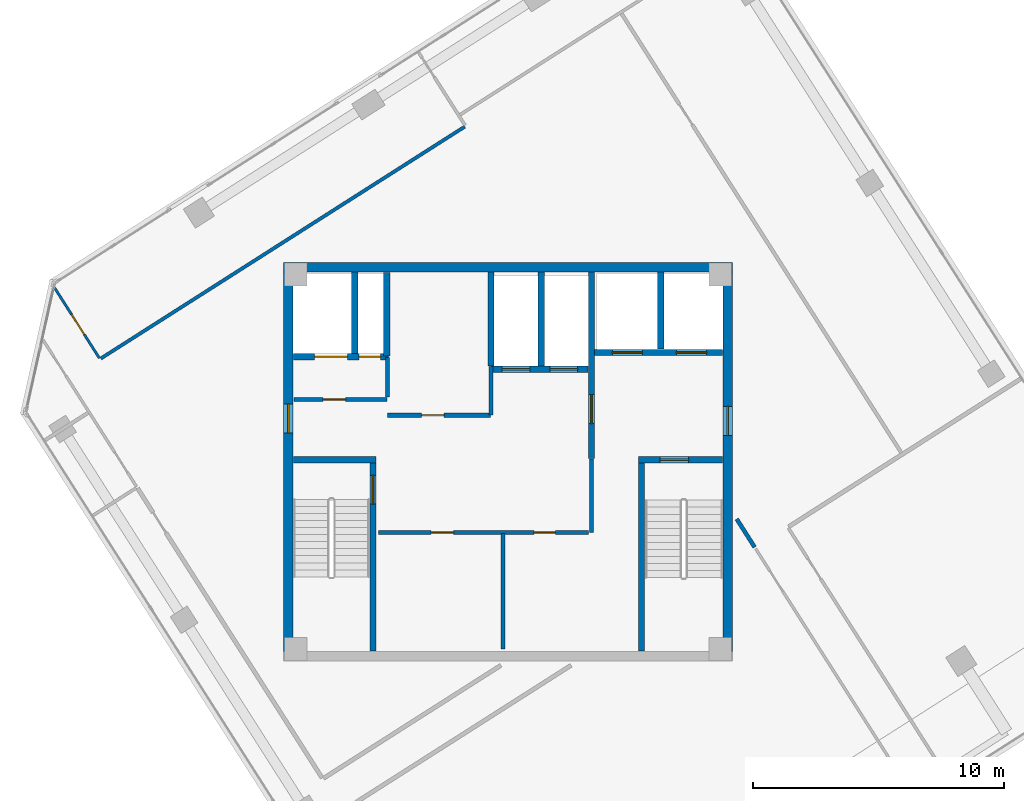
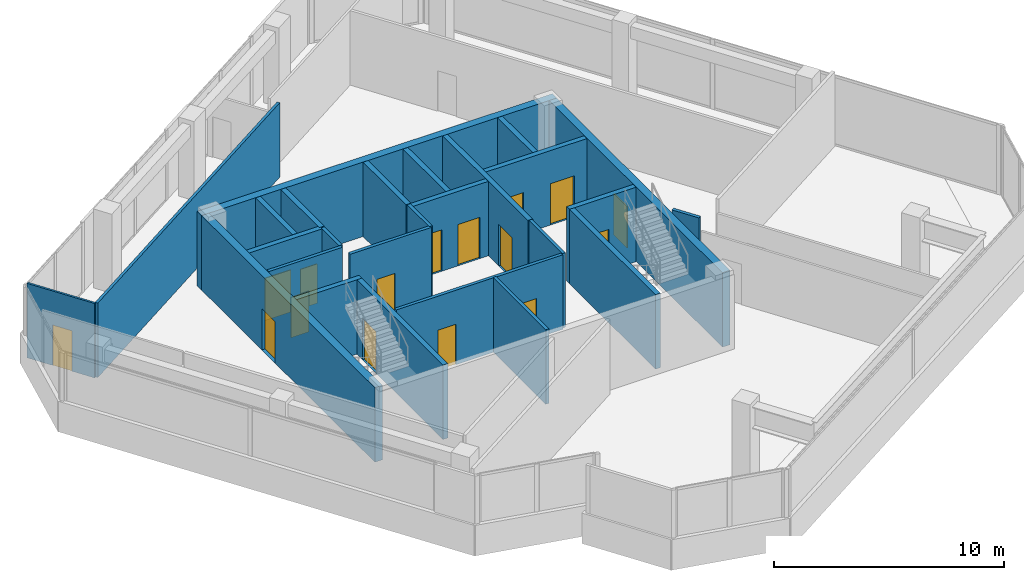
# One storey, part 11 of 15: 26 walls, 16 doors, 16 openings.
"""IFC4 building model written with IfcOpenShell, lengths in metres."""

from ifc_helpers import new_model, si_unit, direction, frame, frame_2d, origin, place, context, subcontext, project, spatial, rectangle, extrude, source, transform, mapped, material, layer, layer_set, type_object, element, fill, save


model = new_model("IFC4")

# Units and contexts
model_context = context("Model", 3, precision=1e-05, world=origin(), true_north=direction((0.0, 1.0)))
body_context = subcontext(model_context, "Body", "Model", "MODEL_VIEW")
ifc_project = project(units=[si_unit("LENGTHUNIT", "METRE"), si_unit("AREAUNIT", "SQUARE_METRE"), si_unit("VOLUMEUNIT", "CUBIC_METRE"), si_unit("PLANEANGLEUNIT", "RADIAN"), si_unit("MASSUNIT", "GRAM", prefix="KILO")], contexts=[model_context])

# Site, building, storey
site_placement = place(None, origin())
site = spatial("IfcSite", under=ifc_project, at=site_placement, CompositionType="ELEMENT")
building_placement = place(site_placement, origin())
building = spatial("IfcBuilding", under=site, at=building_placement, Name="Torre Montelarca", CompositionType="ELEMENT")
storey_placement = place(building_placement, frame((0.0, 0.0, 311.39990234375)))
storey = spatial("IfcBuildingStorey", under=building, at=storey_placement, Name="L70", CompositionType="ELEMENT", Elevation=311.39990234375)

# Wall, opening, door
ifc_material_1 = material(Name="Concrete C40/50", Category="concrete")
ifc_layer_1 = layer(ifc_material_1, 0.25, Name="Concrete C40/50", Category="concrete")
ifc_layer_set_1 = layer_set([ifc_layer_1], Name="Concrete C40/50")
wall_type_1 = type_object("IfcWallType", Name="CW-SHAFT-250", PredefinedType="SHEAR", material=ifc_layer_set_1)
wall_1_placement = place(storey_placement, frame((12.625, 24.4599609375, 0.0), z_axis=(0.0, 0.0, 1.0), x_axis=(0.0, 1.0, 0.0)))
wall_1 = element("IfcWall", 1, at=wall_1_placement, inside=storey, type_object=wall_type_1, Name="L70 Core Shear Wall SH-ST1-E", PredefinedType="SHEAR", context=body_context, shape_type="SweptSolid", body=[
    extrude(rectangle(XDim=7.489990234375, YDim=0.25, at=frame_2d((3.7451171875, 0.0))), origin(), (0.0, 0.0, 1.0), 3.960205078125),
])
opening_1_placement = place(wall_1_placement, frame((5.85009765625, 0.0, 0.0)))
opening_1 = element("IfcOpeningElement", 2, at=opening_1_placement, cuts=wall_1, Name="Opening FD-ST1", PredefinedType="OPENING", context=body_context, shape_type="SweptSolid", body=[
    extrude(rectangle(XDim=1.14990234375, YDim=2.199951171875, at=frame_2d((0.574951171875, 1.10009765625))), frame((0.0, 0.135009765625, 0.0), z_axis=(0.0, -1.0, 0.0), x_axis=(1.0, 0.0, 0.0)), (0.0, 0.0, 1.0), 0.27001953125),
])
ifc_material_2 = material(Name="Galvanized steel fire door", Category="steel")
door_type_1 = type_object("IfcDoorType", Name="DR-STAIR-115", OperationType="NOTDEFINED", PredefinedType="DOOR", material=ifc_material_2)
shared_shape_1 = source(origin(), body_context, "Body", "SweptSolid", [
    extrude(rectangle(XDim=1.14990234375, YDim=2.199951171875, at=frame_2d((0.574951171875, 1.10009765625))), frame((0.0, 0.02490234375, 0.0), z_axis=(0.0, -1.0, 0.0), x_axis=(1.0, 0.0, 0.0)), (0.0, 0.0, 1.0), 0.050048828125),
])
door_1_placement = place(opening_1_placement, origin())
door_1 = element("IfcDoor", 3, at=door_1_placement, inside=storey, type_object=door_type_1, Name="L70 Exit Stair ST1 Fire Door", OperationType="SINGLE_SWING_RIGHT", OverallHeight=2.199951171875, OverallWidth=1.14990234375, PredefinedType="DOOR", context=body_context, shape_type="MappedRepresentation", body=[
    mapped(shared_shape_1, transform((0.0, 0.0, 0.0), scale=1.0)),
])
fill(opening_1, door_1)

# Walls
wall_2_placement = place(storey_placement, frame((9.4599609375, 32.074951171875, 0.0), z_axis=(0.0, 0.0, 1.0), x_axis=(1.0, 0.0, 0.0)))
element("IfcWall", 4, at=wall_2_placement, inside=storey, type_object=wall_type_1, Name="L70 Core Shear Wall SH-ST1-N", PredefinedType="SHEAR", context=body_context, shape_type="SweptSolid", body=[
    extrude(rectangle(XDim=3.2900390625, YDim=0.25, at=frame_2d((1.64501953125, 0.0))), origin(), (0.0, 0.0, 1.0), 3.960205078125),
])
wall_3_placement = place(storey_placement, frame((23.31494140625, 24.4599609375, 0.0), z_axis=(0.0, 0.0, 1.0), x_axis=(0.0, 1.0, 0.0)))
element("IfcWall", 5, at=wall_3_placement, inside=storey, type_object=wall_type_1, Name="L70 Core Shear Wall SH-ST2-W", PredefinedType="SHEAR", context=body_context, shape_type="SweptSolid", body=[
    extrude(rectangle(XDim=7.489990234375, YDim=0.25, at=frame_2d((3.7451171875, 0.0))), origin(), (0.0, 0.0, 1.0), 3.960205078125),
])

# Wall, opening, door
wall_4_placement = place(storey_placement, frame((23.18994140625, 32.074951171875, 0.0), z_axis=(0.0, 0.0, 1.0), x_axis=(1.0, 0.0, 0.0)))
wall_4 = element("IfcWall", 6, at=wall_4_placement, inside=storey, type_object=wall_type_1, Name="L70 Core Shear Wall SH-ST2-N", PredefinedType="SHEAR", context=body_context, shape_type="SweptSolid", body=[
    extrude(rectangle(XDim=3.35009765625, YDim=0.25, at=frame_2d((1.675048828125, 0.0))), origin(), (0.0, 0.0, 1.0), 3.960205078125),
])
opening_2_placement = place(wall_4_placement, frame((0.85009765625, 0.0, 0.0)))
opening_2 = element("IfcOpeningElement", 7, at=opening_2_placement, cuts=wall_4, Name="Opening FD-ST1", PredefinedType="OPENING", context=body_context, shape_type="SweptSolid", body=[
    extrude(rectangle(XDim=1.14990234375, YDim=2.199951171875, at=frame_2d((0.574951171875, 1.10009765625))), frame((0.0, 0.135009765625, 0.0), z_axis=(0.0, -1.0, 0.0), x_axis=(1.0, 0.0, 0.0)), (0.0, 0.0, 1.0), 0.27001953125),
])
door_2_placement = place(opening_2_placement, origin())
door_2 = element("IfcDoor", 8, at=door_2_placement, inside=storey, type_object=door_type_1, Name="L70 Exit Stair ST2 Fire Door", OperationType="SINGLE_SWING_RIGHT", OverallHeight=2.199951171875, OverallWidth=1.14990234375, PredefinedType="DOOR", context=body_context, shape_type="MappedRepresentation", body=[
    mapped(shared_shape_1, transform((0.0, 0.0, 0.0), scale=1.0)),
])
fill(opening_2, door_2)

wall_5_placement = place(storey_placement, frame((21.320068359375, 32.1201171875, 0.0), z_axis=(0.0, 0.0, 1.0), x_axis=(0.0, 1.0, 0.0)))
wall_5 = element("IfcWall", 9, at=wall_5_placement, inside=storey, type_object=wall_type_1, Name="L70 Core Shear Wall SH-FFL-W", PredefinedType="SHEAR", context=body_context, shape_type="SweptSolid", body=[
    extrude(rectangle(XDim=7.419921875, YDim=0.25, at=frame_2d((3.7099609375, 0.0))), origin(), (0.0, 0.0, 1.0), 3.960205078125),
])
opening_3_placement = place(wall_5_placement, frame((1.39990234375, 0.0, 0.0)))
opening_3 = element("IfcOpeningElement", 10, at=opening_3_placement, cuts=wall_5, Name="Opening FD-LB1", PredefinedType="OPENING", context=body_context, shape_type="SweptSolid", body=[
    extrude(rectangle(XDim=1.14990234375, YDim=2.199951171875, at=frame_2d((0.574951171875, 1.10009765625))), frame((0.0, 0.135009765625, 0.0), z_axis=(0.0, -1.0, 0.0), x_axis=(1.0, 0.0, 0.0)), (0.0, 0.0, 1.0), 0.27001953125),
])
ifc_material_3 = material(Name="Acoustic timber-veneered fire door", Category="wood")
door_type_2 = type_object("IfcDoorType", Name="DR-LOBBY-115", OperationType="NOTDEFINED", PredefinedType="DOOR", material=ifc_material_3)
shared_shape_2 = source(origin(), body_context, "Body", "SweptSolid", [
    extrude(rectangle(XDim=1.14990234375, YDim=2.199951171875, at=frame_2d((0.574951171875, 1.10009765625))), frame((0.0, 0.02490234375, 0.0), z_axis=(0.0, -1.0, 0.0), x_axis=(1.0, 0.0, 0.0)), (0.0, 0.0, 1.0), 0.050048828125),
])
door_3_placement = place(opening_3_placement, origin())
door_3 = element("IfcDoor", 11, at=door_3_placement, inside=storey, type_object=door_type_2, Name="L70 Lift Lobby to Firefighting Lobby Smoke Door", OperationType="SINGLE_SWING_LEFT", OverallHeight=2.199951171875, OverallWidth=1.14990234375, PredefinedType="DOOR", context=body_context, shape_type="MappedRepresentation", body=[
    mapped(shared_shape_2, transform((0.0, 0.0, 0.0), scale=1.0)),
])
fill(opening_3, door_3)

# Wall, openings, doors
wall_6_placement = place(storey_placement, frame((9.4599609375, 36.179931640625, 0.0), z_axis=(0.0, 0.0, 1.0), x_axis=(1.0, 0.0, 0.0)))
wall_6 = element("IfcWall", 12, at=wall_6_placement, inside=storey, type_object=wall_type_1, Name="L70 Core Shear Wall SH-SV1-S", PredefinedType="SHEAR", context=body_context, shape_type="SweptSolid", body=[
    extrude(rectangle(XDim=3.7900390625, YDim=0.25, at=frame_2d((1.89501953125, 0.0))), origin(), (0.0, 0.0, 1.0), 3.960205078125),
])
opening_4_placement = place(wall_6_placement, frame((2.6201171875, 0.0, 0.0)))
opening_4 = element("IfcOpeningElement", 13, at=opening_4_placement, cuts=wall_6, Name="Opening FD-085", PredefinedType="OPENING", context=body_context, shape_type="SweptSolid", body=[
    extrude(rectangle(XDim=0.85009765625, YDim=2.10009765625, at=frame_2d((0.425048828125, 1.050048828125))), frame((0.0, 0.135009765625, 0.0), z_axis=(0.0, -1.0, 0.0), x_axis=(1.0, 0.0, 0.0)), (0.0, 0.0, 1.0), 0.27001953125),
])
opening_5_placement = place(wall_6_placement, frame((0.85009765625, 0.0, 0.0)))
opening_5 = element("IfcOpeningElement", 14, at=opening_5_placement, cuts=wall_6, Name="Opening LD-130", PredefinedType="OPENING", context=body_context, shape_type="SweptSolid", body=[
    extrude(rectangle(XDim=1.300048828125, YDim=2.25, at=frame_2d((0.64990234375, 1.125))), frame((0.0, 0.135009765625, 0.0), z_axis=(0.0, -1.0, 0.0), x_axis=(1.0, 0.0, 0.0)), (0.0, 0.0, 1.0), 0.27001953125),
])
ifc_material_4 = material(Name="Steel riser access fire door", Category="steel")
door_type_3 = type_object("IfcDoorType", Name="DR-RISER-085", OperationType="NOTDEFINED", PredefinedType="DOOR", material=ifc_material_4)
shared_shape_3 = source(origin(), body_context, "Body", "SweptSolid", [
    extrude(rectangle(XDim=0.85009765625, YDim=2.10009765625, at=frame_2d((0.425048828125, 1.050048828125))), frame((0.0, 0.02490234375, 0.0), z_axis=(0.0, -1.0, 0.0), x_axis=(1.0, 0.0, 0.0)), (0.0, 0.0, 1.0), 0.050048828125),
])
door_4_placement = place(opening_4_placement, origin())
door_4 = element("IfcDoor", 15, at=door_4_placement, inside=storey, type_object=door_type_3, Name="L70 Electrical Riser Shaft Access Door", OperationType="SINGLE_SWING_RIGHT", OverallHeight=2.10009765625, OverallWidth=0.85009765625, PredefinedType="DOOR", context=body_context, shape_type="MappedRepresentation", body=[
    mapped(shared_shape_3, transform((0.0, 0.0, 0.0), scale=1.0)),
])
fill(opening_4, door_4)
ifc_material_5 = material(Name="Brushed stainless steel AISI 316", Category="steel")
door_type_4 = type_object("IfcDoorType", Name="DR-LIFT-130", OperationType="SLIDING_TO_LEFT", PredefinedType="DOOR", material=ifc_material_5)
shared_shape_4 = source(origin(), body_context, "Body", "SweptSolid", [
    extrude(rectangle(XDim=1.300048828125, YDim=2.25, at=frame_2d((0.64990234375, 1.125))), frame((0.0, 0.02490234375, 0.0), z_axis=(0.0, -1.0, 0.0), x_axis=(1.0, 0.0, 0.0)), (0.0, 0.0, 1.0), 0.050048828125),
])
door_5_placement = place(opening_5_placement, origin())
door_5 = element("IfcDoor", 16, at=door_5_placement, inside=storey, type_object=door_type_4, Name="L70 Lift Landing Sliding Door SV-1", OperationType="SLIDING_TO_LEFT", OverallHeight=2.25, OverallWidth=1.300048828125, PredefinedType="DOOR", context=body_context, shape_type="MappedRepresentation", body=[
    mapped(shared_shape_4, transform((0.0, 0.0, 0.0), scale=1.0)),
])
fill(opening_5, door_5)

# Wall
wall_7_placement = place(storey_placement, frame((11.89990234375, 36.31005859375, 0.0), z_axis=(0.0, 0.0, 1.0), x_axis=(0.0, 1.0, 0.0)))
element("IfcWall", 17, at=wall_7_placement, inside=storey, type_object=wall_type_1, Name="L70 Core Shear Wall SH-SV1-E", PredefinedType="SHEAR", context=body_context, shape_type="SweptSolid", body=[
    extrude(rectangle(XDim=3.22998046875, YDim=0.25, at=frame_2d((1.614990234375, 0.0))), origin(), (0.0, 0.0, 1.0), 3.960205078125),
])

# Wall, openings, doors
wall_8_placement = place(storey_placement, frame((21.449951171875, 36.35009765625, 0.0), z_axis=(0.0, 0.0, 1.0), x_axis=(1.0, 0.0, 0.0)))
wall_8 = element("IfcWall", 18, at=wall_8_placement, inside=storey, type_object=wall_type_1, Name="L70 Core Shear Wall SH-FF-S", PredefinedType="SHEAR", context=body_context, shape_type="SweptSolid", body=[
    extrude(rectangle(XDim=5.090087890625, YDim=0.25, at=frame_2d((2.544921875, 0.0))), origin(), (0.0, 0.0, 1.0), 3.960205078125),
])
opening_6_placement = place(wall_8_placement, frame((0.699951171875, 0.0, 0.0)))
opening_6 = element("IfcOpeningElement", 19, at=opening_6_placement, cuts=wall_8, Name="Opening LD-120", PredefinedType="OPENING", context=body_context, shape_type="SweptSolid", body=[
    extrude(rectangle(XDim=1.199951171875, YDim=2.199951171875, at=frame_2d((0.60009765625, 1.10009765625))), frame((0.0, 0.135009765625, 0.0), z_axis=(0.0, -1.0, 0.0), x_axis=(1.0, 0.0, 0.0)), (0.0, 0.0, 1.0), 0.27001953125),
])
opening_7_placement = place(wall_8_placement, frame((3.25, 0.0, 0.0)))
opening_7 = element("IfcOpeningElement", 20, at=opening_7_placement, cuts=wall_8, Name="Opening LD-120", PredefinedType="OPENING", context=body_context, shape_type="SweptSolid", body=[
    extrude(rectangle(XDim=1.199951171875, YDim=2.199951171875, at=frame_2d((0.60009765625, 1.10009765625))), frame((0.0, 0.135009765625, 0.0), z_axis=(0.0, -1.0, 0.0), x_axis=(1.0, 0.0, 0.0)), (0.0, 0.0, 1.0), 0.27001953125),
])
door_type_5 = type_object("IfcDoorType", Name="DR-LIFT-120", OperationType="SLIDING_TO_RIGHT", PredefinedType="DOOR", material=ifc_material_5)
shared_shape_5 = source(origin(), body_context, "Body", "SweptSolid", [
    extrude(rectangle(XDim=1.199951171875, YDim=2.199951171875, at=frame_2d((0.60009765625, 1.10009765625))), frame((0.0, 0.02490234375, 0.0), z_axis=(0.0, -1.0, 0.0), x_axis=(1.0, 0.0, 0.0)), (0.0, 0.0, 1.0), 0.050048828125),
])
door_6_placement = place(opening_6_placement, origin())
door_6 = element("IfcDoor", 21, at=door_6_placement, inside=storey, type_object=door_type_5, Name="L70 Lift Landing Sliding Door FF-1", OperationType="SLIDING_TO_LEFT", OverallHeight=2.199951171875, OverallWidth=1.199951171875, PredefinedType="DOOR", context=body_context, shape_type="MappedRepresentation", body=[
    mapped(shared_shape_5, transform((0.0, 0.0, 0.0), scale=1.0)),
])
fill(opening_6, door_6)
door_7_placement = place(opening_7_placement, origin())
door_7 = element("IfcDoor", 22, at=door_7_placement, inside=storey, type_object=door_type_5, Name="L70 Lift Landing Sliding Door FF-2", OperationType="SLIDING_TO_RIGHT", OverallHeight=2.199951171875, OverallWidth=1.199951171875, PredefinedType="DOOR", context=body_context, shape_type="MappedRepresentation", body=[
    mapped(shared_shape_5, transform((0.0, 0.0, 0.0), scale=1.0)),
])
fill(opening_7, door_7)

# Walls
wall_9_placement = place(storey_placement, frame((24.080078125, 36.47998046875, 0.0), z_axis=(0.0, 0.0, 1.0), x_axis=(0.0, 1.0, 0.0)))
element("IfcWall", 23, at=wall_9_placement, inside=storey, type_object=wall_type_1, Name="L70 Core Shear Wall SH-FF-M", PredefinedType="SHEAR", context=body_context, shape_type="SweptSolid", body=[
    extrude(rectangle(XDim=3.06005859375, YDim=0.25, at=frame_2d((1.530029296875, 0.0))), origin(), (0.0, 0.0, 1.0), 3.960205078125),
])
wall_10_placement = place(storey_placement, frame((13.179931640625, 36.199951171875, 0.0), z_axis=(0.0, 0.0, 1.0), x_axis=(0.0, 1.0, 0.0)))
element("IfcWall", 24, at=wall_10_placement, inside=storey, type_object=wall_type_1, Name="L70 Core Shear Wall SH-RSR1-E", PredefinedType="SHEAR", context=body_context, shape_type="SweptSolid", body=[
    extrude(rectangle(XDim=3.340087890625, YDim=0.25, at=frame_2d((1.669921875, 0.0))), origin(), (0.0, 0.0, 1.0), 3.960205078125),
])

# Wall, openings, doors
wall_11_placement = place(storey_placement, frame((17.320068359375, 35.679931640625, 0.0), z_axis=(0.0, 0.0, 1.0), x_axis=(1.0, 0.0, 0.0)))
wall_11 = element("IfcWall", 25, at=wall_11_placement, inside=storey, type_object=wall_type_1, Name="L70 Core Shear Wall SH-PLH-S", PredefinedType="SHEAR", context=body_context, shape_type="SweptSolid", body=[
    extrude(rectangle(XDim=3.869873046875, YDim=0.25, at=frame_2d((1.93505859375, 0.0))), origin(), (0.0, 0.0, 1.0), 3.960205078125),
])
opening_8_placement = place(wall_11_placement, frame((0.449951171875, 0.0, 0.0)))
opening_8 = element("IfcOpeningElement", 26, at=opening_8_placement, cuts=wall_11, Name="Opening LD-110", PredefinedType="OPENING", context=body_context, shape_type="SweptSolid", body=[
    extrude(rectangle(XDim=1.10009765625, YDim=2.199951171875, at=frame_2d((0.550048828125, 1.10009765625))), frame((0.0, 0.135009765625, 0.0), z_axis=(0.0, -1.0, 0.0), x_axis=(1.0, 0.0, 0.0)), (0.0, 0.0, 1.0), 0.27001953125),
])
opening_9_placement = place(wall_11_placement, frame((2.35009765625, 0.0, 0.0)))
opening_9 = element("IfcOpeningElement", 27, at=opening_9_placement, cuts=wall_11, Name="Opening LD-110", PredefinedType="OPENING", context=body_context, shape_type="SweptSolid", body=[
    extrude(rectangle(XDim=1.10009765625, YDim=2.199951171875, at=frame_2d((0.550048828125, 1.10009765625))), frame((0.0, 0.135009765625, 0.0), z_axis=(0.0, -1.0, 0.0), x_axis=(1.0, 0.0, 0.0)), (0.0, 0.0, 1.0), 0.27001953125),
])
door_type_6 = type_object("IfcDoorType", Name="DR-LIFT-110", OperationType="SLIDING_TO_LEFT", PredefinedType="DOOR", material=ifc_material_5)
shared_shape_6 = source(origin(), body_context, "Body", "SweptSolid", [
    extrude(rectangle(XDim=1.10009765625, YDim=2.199951171875, at=frame_2d((0.550048828125, 1.10009765625))), frame((0.0, 0.02490234375, 0.0), z_axis=(0.0, -1.0, 0.0), x_axis=(1.0, 0.0, 0.0)), (0.0, 0.0, 1.0), 0.050048828125),
])
door_8_placement = place(opening_8_placement, origin())
door_8 = element("IfcDoor", 28, at=door_8_placement, inside=storey, type_object=door_type_6, Name="L70 Lift Landing Sliding Door PL-H1", OperationType="SLIDING_TO_LEFT", OverallHeight=2.199951171875, OverallWidth=1.10009765625, PredefinedType="DOOR", context=body_context, shape_type="MappedRepresentation", body=[
    mapped(shared_shape_6, transform((0.0, 0.0, 0.0), scale=1.0)),
])
fill(opening_8, door_8)
door_9_placement = place(opening_9_placement, origin())
door_9 = element("IfcDoor", 29, at=door_9_placement, inside=storey, type_object=door_type_6, Name="L70 Lift Landing Sliding Door PL-H2", OperationType="SLIDING_TO_RIGHT", OverallHeight=2.199951171875, OverallWidth=1.10009765625, PredefinedType="DOOR", context=body_context, shape_type="MappedRepresentation", body=[
    mapped(shared_shape_6, transform((0.0, 0.0, 0.0), scale=1.0)),
])
fill(opening_9, door_9)

# Walls
for number, where, z_axis, x_axis, name in (
    (30, (17.320068359375, 35.81005859375, 0.0), (0.0, 0.0, 1.0), (0.0, 1.0, 0.0), "L70 Core Shear Wall SH-PLH-W"),
    (31, (19.320068359375, 35.81005859375, 0.0), (0.0, 0.0, 1.0), (0.0, 1.0, 0.0), "L70 Core Shear Wall SH-PLH-M"),
):
    element("IfcWall", number, at=place(storey_placement, frame(where, z_axis=z_axis, x_axis=x_axis)), inside=storey, type_object=wall_type_1, Name=name, PredefinedType="SHEAR", context=body_context, shape_type="SweptSolid", body=[
        extrude(rectangle(XDim=3.72998046875, YDim=0.25, at=frame_2d((1.864990234375, 0.0))), origin(), (0.0, 0.0, 1.0), 3.960205078125),
    ])

# Wall, opening, door
ifc_layer_2 = layer(ifc_material_1, 0.3798828125, Name="Concrete C40/50", Category="concrete")
ifc_layer_set_2 = layer_set([ifc_layer_2], Name="Concrete C40/50")
wall_type_2 = type_object("IfcWallType", Name="CW-SHEAR-380", PredefinedType="SHEAR", material=ifc_layer_set_2)
wall_12_placement = place(storey_placement, frame((9.260009765625, 24.449951171875, 0.0), z_axis=(0.0, 0.0, 1.0), x_axis=(0.0, 1.0, 0.0)))
wall_12 = element("IfcWall", 32, at=wall_12_placement, inside=storey, type_object=wall_type_2, Name="L70 Core Shear Wall CW-W", PredefinedType="SHEAR", context=body_context, shape_type="SweptSolid", body=[
    extrude(rectangle(XDim=15.10009765625, YDim=0.3798828125, at=frame_2d((7.550048828125, 0.0))), origin(), (0.0, 0.0, 1.0), 3.960205078125),
])
opening_10_placement = place(wall_12_placement, frame((8.699951171875, 0.0, 0.0)))
opening_10 = element("IfcOpeningElement", 33, at=opening_10_placement, cuts=wall_12, Name="Opening FD-LB1", PredefinedType="OPENING", context=body_context, shape_type="SweptSolid", body=[
    extrude(rectangle(XDim=1.14990234375, YDim=2.199951171875, at=frame_2d((0.574951171875, 1.10009765625))), frame((0.0, 0.199951171875, 0.0), z_axis=(0.0, -1.0, 0.0), x_axis=(1.0, 0.0, 0.0)), (0.0, 0.0, 1.0), 0.39990234375),
])
door_10_placement = place(opening_10_placement, origin())
door_10 = element("IfcDoor", 34, at=door_10_placement, inside=storey, type_object=door_type_2, Name="L70 Passenger Lift Lobby West Corridor Fire Door", OperationType="SINGLE_SWING_RIGHT", OverallHeight=2.199951171875, OverallWidth=1.14990234375, PredefinedType="DOOR", context=body_context, shape_type="MappedRepresentation", body=[
    mapped(shared_shape_2, transform((0.0, 0.0, 0.0), scale=1.0)),
])
fill(opening_10, door_10)

wall_13_placement = place(storey_placement, frame((26.739990234375, 24.449951171875, 0.0), z_axis=(0.0, 0.0, 1.0), x_axis=(0.0, 1.0, 0.0)))
wall_13 = element("IfcWall", 35, at=wall_13_placement, inside=storey, type_object=wall_type_2, Name="L70 Core Shear Wall CW-E", PredefinedType="SHEAR", context=body_context, shape_type="SweptSolid", body=[
    extrude(rectangle(XDim=15.10009765625, YDim=0.3798828125, at=frame_2d((7.550048828125, 0.0))), origin(), (0.0, 0.0, 1.0), 3.960205078125),
])
opening_11_placement = place(wall_13_placement, frame((8.60009765625, 0.0, 0.0)))
opening_11 = element("IfcOpeningElement", 36, at=opening_11_placement, cuts=wall_13, Name="Opening FD-LB1", PredefinedType="OPENING", context=body_context, shape_type="SweptSolid", body=[
    extrude(rectangle(XDim=1.14990234375, YDim=2.199951171875, at=frame_2d((0.574951171875, 1.10009765625))), frame((0.0, 0.199951171875, 0.0), z_axis=(0.0, -1.0, 0.0), x_axis=(1.0, 0.0, 0.0)), (0.0, 0.0, 1.0), 0.39990234375),
])
door_11_placement = place(opening_11_placement, origin())
door_11 = element("IfcDoor", 37, at=door_11_placement, inside=storey, type_object=door_type_2, Name="L70 Firefighting Lift Lobby Corridor Fire Door", OperationType="SINGLE_SWING_RIGHT", OverallHeight=2.199951171875, OverallWidth=1.14990234375, PredefinedType="DOOR", context=body_context, shape_type="MappedRepresentation", body=[
    mapped(shared_shape_2, transform((0.0, 0.0, 0.0), scale=1.0)),
])
fill(opening_11, door_11)

# Wall
wall_14_placement = place(storey_placement, frame((9.070068359375, 39.739990234375, 0.0), z_axis=(0.0, 0.0, 1.0), x_axis=(1.0, 0.0, 0.0)))
element("IfcWall", 38, at=wall_14_placement, inside=storey, type_object=wall_type_2, Name="L70 Core Shear Wall CW-N1", PredefinedType="SHEAR", context=body_context, shape_type="SweptSolid", body=[
    extrude(rectangle(XDim=17.85986328125, YDim=0.3798828125, at=frame_2d((8.929931640625, 0.0))), origin(), (0.0, 0.0, 1.0), 3.960205078125),
])

# Wall, opening, door
ifc_material_6 = material(Name="Gypsum plasterboard on steel stud", Category="steel")
ifc_layer_3 = layer(ifc_material_6, 0.159912109375, Name="Gypsum plasterboard on steel stud", Category="steel")
ifc_layer_set_3 = layer_set([ifc_layer_3], Name="Gypsum plasterboard on steel stud")
wall_type_3 = type_object("IfcWallType", Name="PW-FIRE-160", PredefinedType="PARTITIONING", material=ifc_layer_set_3)
wall_15_placement = place(storey_placement, frame((9.489990234375, 34.47998046875, 0.0), z_axis=(0.0, 0.0, 1.0), x_axis=(1.0, 0.0, 0.0)))
wall_15 = element("IfcWall", 39, at=wall_15_placement, inside=storey, type_object=wall_type_3, Name="L70 Interior Partition CW-L70-SVS", PredefinedType="PARTITIONING", context=body_context, shape_type="SweptSolid", body=[
    extrude(rectangle(XDim=3.699951171875, YDim=0.159912109375, at=frame_2d((1.85009765625, 0.0))), origin(), (0.0, 0.0, 1.0), 3.960205078125),
])
opening_12_placement = place(wall_15_placement, frame((1.14990234375, 0.0, 0.0)))
opening_12 = element("IfcOpeningElement", 40, at=opening_12_placement, cuts=wall_15, Name="Opening FD-090", PredefinedType="OPENING", context=body_context, shape_type="SweptSolid", body=[
    extrude(rectangle(XDim=0.89990234375, YDim=2.14990234375, at=frame_2d((0.449951171875, 1.074951171875))), frame((0.0, 0.08984375, 0.0), z_axis=(0.0, -1.0, 0.0), x_axis=(1.0, 0.0, 0.0)), (0.0, 0.0, 1.0), 0.179931640625),
])
ifc_material_7 = material(Name="Steel service fire door", Category="steel")
door_type_7 = type_object("IfcDoorType", Name="DR-FIRE-090", OperationType="NOTDEFINED", PredefinedType="DOOR", material=ifc_material_7)
shared_shape_7 = source(origin(), body_context, "Body", "SweptSolid", [
    extrude(rectangle(XDim=0.89990234375, YDim=2.14990234375, at=frame_2d((0.449951171875, 1.074951171875))), frame((0.0, 0.02490234375, 0.0), z_axis=(0.0, -1.0, 0.0), x_axis=(1.0, 0.0, 0.0)), (0.0, 0.0, 1.0), 0.050048828125),
])
door_12_placement = place(opening_12_placement, origin())
door_12 = element("IfcDoor", 41, at=door_12_placement, inside=storey, type_object=door_type_7, Name="L70 Interior Door 01", OperationType="SINGLE_SWING_RIGHT", OverallHeight=2.14990234375, OverallWidth=0.89990234375, PredefinedType="DOOR", context=body_context, shape_type="MappedRepresentation", body=[
    mapped(shared_shape_7, transform((0.0, 0.0, 0.0), scale=1.0)),
])
fill(opening_12, door_12)

# Wall
wall_16_placement = place(storey_placement, frame((13.199951171875, 34.570068359375, 0.0), z_axis=(0.0, 0.0, 1.0), x_axis=(0.0, 1.0, 0.0)))
element("IfcWall", 42, at=wall_16_placement, inside=storey, type_object=wall_type_3, Name="L70 Interior Partition CW-L70-SVE", PredefinedType="PARTITIONING", context=body_context, shape_type="SweptSolid", body=[
    extrude(rectangle(XDim=1.56982421875, YDim=0.159912109375, at=frame_2d((0.784912109375, 0.0))), origin(), (0.0, 0.0, 1.0), 3.960205078125),
])

# Wall, opening, door
wall_17_placement = place(storey_placement, frame((13.2099609375, 33.85009765625, 0.0), z_axis=(0.0, 0.0, 1.0), x_axis=(1.0, 0.0, 0.0)))
wall_17 = element("IfcWall", 43, at=wall_17_placement, inside=storey, type_object=wall_type_3, Name="L70 Interior Partition CW-L70-FRMS", PredefinedType="PARTITIONING", context=body_context, shape_type="SweptSolid", body=[
    extrude(rectangle(XDim=4.10009765625, YDim=0.159912109375, at=frame_2d((2.050048828125, 0.0))), origin(), (0.0, 0.0, 1.0), 3.960205078125),
])
opening_13_placement = place(wall_17_placement, frame((1.35009765625, 0.0, 0.0)))
opening_13 = element("IfcOpeningElement", 44, at=opening_13_placement, cuts=wall_17, Name="Opening FD-090", PredefinedType="OPENING", context=body_context, shape_type="SweptSolid", body=[
    extrude(rectangle(XDim=0.89990234375, YDim=2.14990234375, at=frame_2d((0.449951171875, 1.074951171875))), frame((0.0, 0.08984375, 0.0), z_axis=(0.0, -1.0, 0.0), x_axis=(1.0, 0.0, 0.0)), (0.0, 0.0, 1.0), 0.179931640625),
])
door_13_placement = place(opening_13_placement, origin())
door_13 = element("IfcDoor", 45, at=door_13_placement, inside=storey, type_object=door_type_7, Name="L70 Interior Door 02", OperationType="SINGLE_SWING_LEFT", OverallHeight=2.14990234375, OverallWidth=0.89990234375, PredefinedType="DOOR", context=body_context, shape_type="MappedRepresentation", body=[
    mapped(shared_shape_7, transform((0.0, 0.0, 0.0), scale=1.0)),
])
fill(opening_13, door_13)

# Wall
wall_18_placement = place(storey_placement, frame((17.320068359375, 33.860107421875, 0.0), z_axis=(0.0, 0.0, 1.0), x_axis=(0.0, 1.0, 0.0)))
element("IfcWall", 46, at=wall_18_placement, inside=storey, type_object=wall_type_3, Name="L70 Interior Partition CW-L70-FRME", PredefinedType="PARTITIONING", context=body_context, shape_type="SweptSolid", body=[
    extrude(rectangle(XDim=1.929931640625, YDim=0.159912109375, at=frame_2d((0.96484375, 0.0))), origin(), (0.0, 0.0, 1.0), 3.960205078125),
])

# Wall, openings, doors
wall_19_placement = place(storey_placement, frame((12.840087890625, 29.179931640625, 0.0), z_axis=(0.0, 0.0, 1.0), x_axis=(1.0, 0.0, 0.0)))
wall_19 = element("IfcWall", 47, at=wall_19_placement, inside=storey, type_object=wall_type_3, Name="L70 Interior Partition CW-L70-FRDN", PredefinedType="PARTITIONING", context=body_context, shape_type="SweptSolid", body=[
    extrude(rectangle(XDim=8.369873046875, YDim=0.159912109375, at=frame_2d((4.18505859375, 0.0))), origin(), (0.0, 0.0, 1.0), 3.960205078125),
])
opening_14_placement = place(wall_19_placement, frame((2.10009765625, 0.0, 0.0)))
opening_14 = element("IfcOpeningElement", 48, at=opening_14_placement, cuts=wall_19, Name="Opening FD-090", PredefinedType="OPENING", context=body_context, shape_type="SweptSolid", body=[
    extrude(rectangle(XDim=0.89990234375, YDim=2.14990234375, at=frame_2d((0.449951171875, 1.074951171875))), frame((0.0, 0.08984375, 0.0), z_axis=(0.0, -1.0, 0.0), x_axis=(1.0, 0.0, 0.0)), (0.0, 0.0, 1.0), 0.179931640625),
])
opening_15_placement = place(wall_19_placement, frame((6.199951171875, 0.0, 0.0)))
opening_15 = element("IfcOpeningElement", 49, at=opening_15_placement, cuts=wall_19, Name="Opening FD-085", PredefinedType="OPENING", context=body_context, shape_type="SweptSolid", body=[
    extrude(rectangle(XDim=0.85009765625, YDim=2.10009765625, at=frame_2d((0.425048828125, 1.050048828125))), frame((0.0, 0.08984375, 0.0), z_axis=(0.0, -1.0, 0.0), x_axis=(1.0, 0.0, 0.0)), (0.0, 0.0, 1.0), 0.179931640625),
])
door_14_placement = place(opening_15_placement, origin())
door_14 = element("IfcDoor", 50, at=door_14_placement, inside=storey, type_object=door_type_3, Name="L70 Interior Door 04", OperationType="SINGLE_SWING_LEFT", OverallHeight=2.10009765625, OverallWidth=0.85009765625, PredefinedType="DOOR", context=body_context, shape_type="MappedRepresentation", body=[
    mapped(shared_shape_3, transform((0.0, 0.0, 0.0), scale=1.0)),
])
fill(opening_15, door_14)
door_15_placement = place(opening_14_placement, origin())
door_15 = element("IfcDoor", 51, at=door_15_placement, inside=storey, type_object=door_type_7, Name="L70 Interior Door 03", OperationType="SINGLE_SWING_RIGHT", OverallHeight=2.14990234375, OverallWidth=0.89990234375, PredefinedType="DOOR", context=body_context, shape_type="MappedRepresentation", body=[
    mapped(shared_shape_7, transform((0.0, 0.0, 0.0), scale=1.0)),
])
fill(opening_14, door_15)

# Walls
wall_20_placement = place(storey_placement, frame((17.800048828125, 24.5400390625, 0.0), z_axis=(0.0, 0.0, 1.0), x_axis=(0.0, 1.0, 0.0)))
element("IfcWall", 52, at=wall_20_placement, inside=storey, type_object=wall_type_3, Name="L70 Interior Partition CW-L70-FRD1", PredefinedType="PARTITIONING", context=body_context, shape_type="SweptSolid", body=[
    extrude(rectangle(XDim=4.599853515625, YDim=0.159912109375, at=frame_2d((2.2998046875, 0.0))), origin(), (0.0, 0.0, 1.0), 3.960205078125),
])
wall_21_placement = place(storey_placement, frame((21.320068359375, 29.18994140625, 0.0), z_axis=(0.0, 0.0, 1.0), x_axis=(0.0, 1.0, 0.0)))
element("IfcWall", 53, at=wall_21_placement, inside=storey, type_object=wall_type_3, Name="L70 Interior Partition CW-L70-FRE", PredefinedType="PARTITIONING", context=body_context, shape_type="SweptSolid", body=[
    extrude(rectangle(XDim=2.920166015625, YDim=0.159912109375, at=frame_2d((1.4599609375, 0.0))), origin(), (0.0, 0.0, 1.0), 3.960205078125),
])
wall_22_placement = place(storey_placement, frame((27.1015625, 29.721435546875, 0.0), z_axis=(0.0, 0.0, 1.0), x_axis=(0.537279676557, -0.843404143432, 0.0)))
element("IfcWall", 54, at=wall_22_placement, inside=storey, type_object=wall_type_3, Name="L70 Interior Partition W-L70-SOCCN3", PredefinedType="PARTITIONING", context=body_context, shape_type="SweptSolid", body=[
    extrude(rectangle(XDim=1.32861328125, YDim=0.159912109375, at=frame_2d((0.664306640625, 0.0))), origin(), (0.0, 0.0, 1.0), 3.960205078125),
])

# Wall, opening, door
ifc_material_8 = material(Name="Acoustic laminated glass partition", Category="glass")
ifc_layer_4 = layer(ifc_material_8, 0.10009765625, Name="Acoustic laminated glass partition", Category="glass")
ifc_layer_set_4 = layer_set([ifc_layer_4], Name="Acoustic laminated glass partition")
wall_type_4 = type_object("IfcWallType", Name="PW-GLAZ-100", PredefinedType="PARTITIONING", material=ifc_layer_set_4)
wall_23_placement = place(storey_placement, frame((-0.04248046875, 38.921142578125, 0.0), z_axis=(0.0, 0.0, 1.0), x_axis=(0.537298651026, -0.843392055693, 0.0)))
wall_23 = element("IfcWall", 55, at=wall_23_placement, inside=storey, type_object=wall_type_4, Name="L70 Interior Partition W-L70-WPKS", PredefinedType="PARTITIONING", context=body_context, shape_type="SweptSolid", body=[
    extrude(rectangle(XDim=3.322021484375, YDim=0.10009765625, at=frame_2d((1.6611328125, 0.0))), origin(), (0.0, 0.0, 1.0), 3.960205078125),
])
opening_16_placement = place(wall_23_placement, frame((1.25, 0.0, 0.0)))
opening_16 = element("IfcOpeningElement", 56, at=opening_16_placement, cuts=wall_23, Name="Opening ID-095", PredefinedType="OPENING", context=body_context, shape_type="SweptSolid", body=[
    extrude(rectangle(XDim=0.949951171875, YDim=2.14990234375, at=frame_2d((0.47509765625, 1.074951171875))), frame((0.0, 0.06005859375, 0.0), z_axis=(0.0, -1.0, 0.0), x_axis=(1.0, 0.0, 0.0)), (0.0, 0.0, 1.0), 0.1201171875),
])
ifc_material_9 = material(Name="Hardwood acoustic timber veneer", Category="wood")
door_type_8 = type_object("IfcDoorType", Name="DR-INT-095", OperationType="NOTDEFINED", PredefinedType="DOOR", material=ifc_material_9)
shared_shape_8 = source(origin(), body_context, "Body", "SweptSolid", [
    extrude(rectangle(XDim=0.949951171875, YDim=2.14990234375, at=frame_2d((0.47509765625, 1.074951171875))), frame((0.0, 0.02490234375, 0.0), z_axis=(0.0, -1.0, 0.0), x_axis=(1.0, 0.0, 0.0)), (0.0, 0.0, 1.0), 0.050048828125),
])
door_16_placement = place(opening_16_placement, origin())
door_16 = element("IfcDoor", 57, at=door_16_placement, inside=storey, type_object=door_type_8, Name="L70 Interior Door 09", OperationType="SINGLE_SWING_LEFT", OverallHeight=2.14990234375, OverallWidth=0.949951171875, PredefinedType="DOOR", context=body_context, shape_type="MappedRepresentation", body=[
    mapped(shared_shape_8, transform((0.0, 0.0, 0.0), scale=1.0)),
])
fill(opening_16, door_16)

# Wall
ifc_layer_5 = layer(ifc_material_6, 0.135009765625, Name="Gypsum plasterboard on steel stud", Category="steel")
ifc_layer_set_5 = layer_set([ifc_layer_5], Name="Gypsum plasterboard on steel stud")
wall_type_5 = type_object("IfcWallType", Name="PW-PART-135", PredefinedType="PARTITIONING", material=ifc_layer_set_5)
wall_24_placement = place(storey_placement, frame((1.797607421875, 36.107177734375, 0.0), z_axis=(0.0, 0.0, 1.0), x_axis=(0.843396745572, 0.537291289301, 0.0)))
element("IfcWall", 58, at=wall_24_placement, inside=storey, type_object=wall_type_5, Name="L70 Interior Partition W-L70-WPKE", PredefinedType="PARTITIONING", context=body_context, shape_type="SweptSolid", body=[
    extrude(rectangle(XDim=17.170166015625, YDim=0.135009765625, at=frame_2d((8.5849609375, 0.0))), origin(), (0.0, 0.0, 1.0), 3.960205078125),
])

save(model, "model.ifc")
